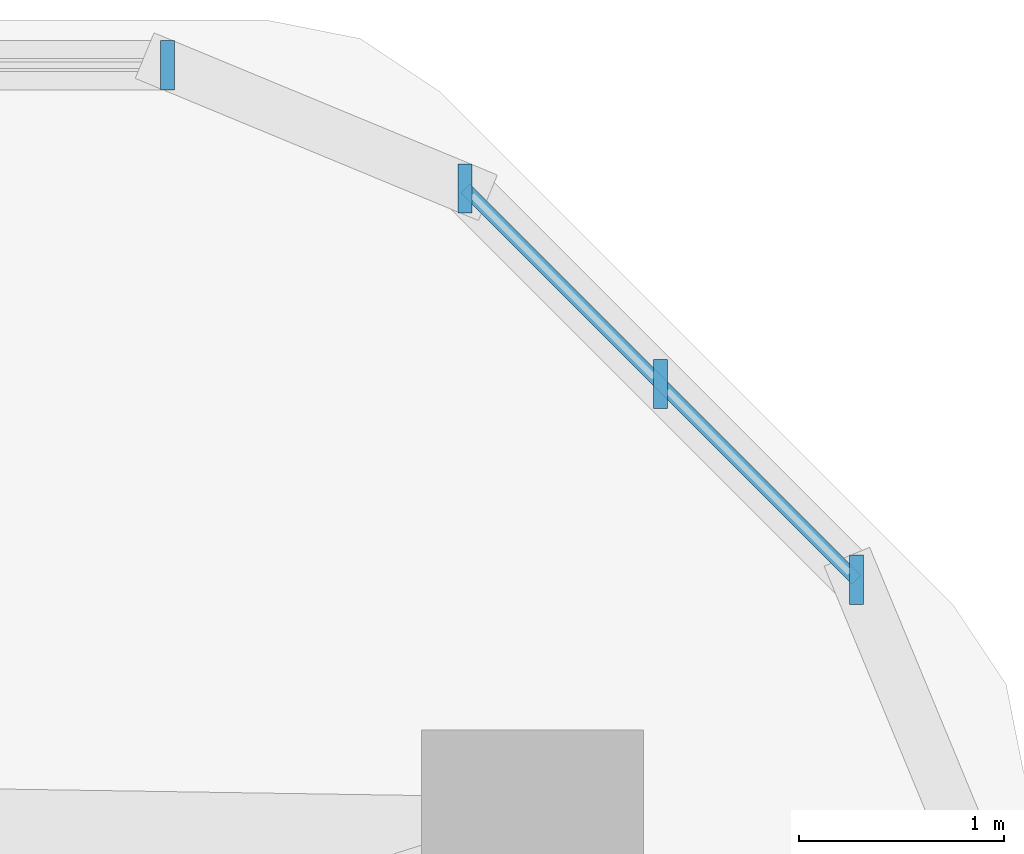
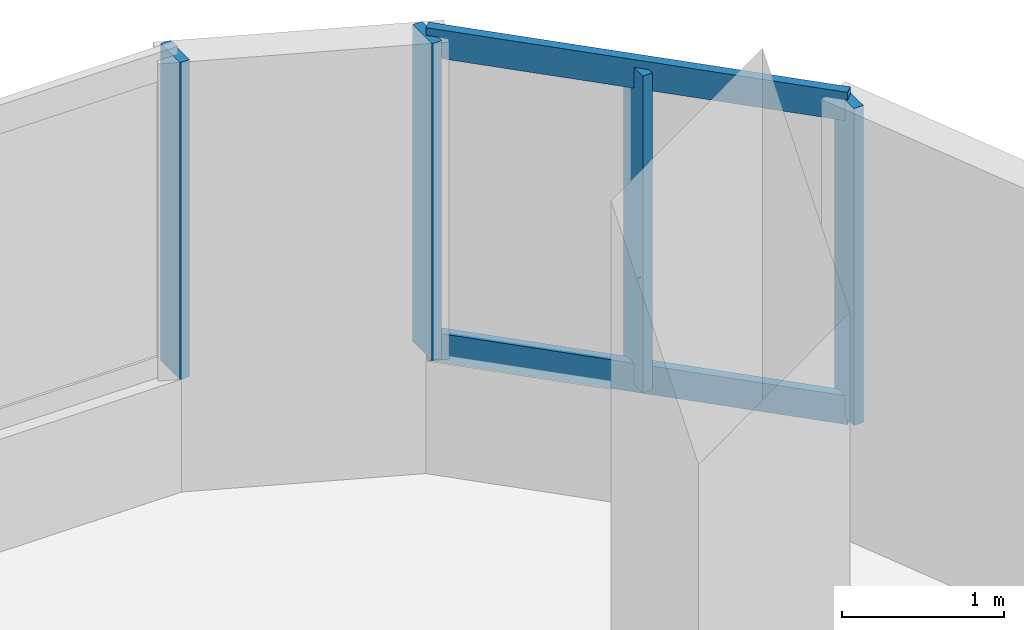
# One storey, part 11 of 21: 6 members, 2 elements without a shape of their own.
"""IFC4 building model written with IfcOpenShell, lengths in metres."""

from ifc_helpers import new_model, si_unit, derived_unit, direction, frame, origin, origin_2d, place, context, subcontext, project, spatial, rectangle, extrude, material, material_profile, profile_set, type_object, element, aggregate, save


model = new_model("IFC4")

# Units and contexts
model_context = context("Model", 3, precision=1e-05, world=origin(), true_north=direction((0.0, 1.0)))
body_context = subcontext(model_context, "Body", "Model", "MODEL_VIEW")
ifc_project = project(units=[si_unit("LENGTHUNIT", "METRE"), si_unit("AREAUNIT", "SQUARE_METRE"), si_unit("VOLUMEUNIT", "CUBIC_METRE"), si_unit("PLANEANGLEUNIT", "RADIAN"), si_unit("MASSUNIT", "GRAM", prefix="KILO"), derived_unit("THERMALTRANSMITTANCEUNIT", [(si_unit("POWERUNIT", "WATT"), 1), (si_unit("LENGTHUNIT", "METRE"), -2), (si_unit("THERMODYNAMICTEMPERATUREUNIT", "KELVIN"), -1)])], contexts=[model_context])

# Site, building, storey
site_placement = place(None, origin())
site = spatial("IfcSite", under=ifc_project, at=site_placement, CompositionType="ELEMENT")
building_placement = place(site_placement, origin())
building = spatial("IfcBuilding", under=site, at=building_placement, Name="Koralith Skygarden Medical Center", CompositionType="ELEMENT")
storey_placement = place(building_placement, frame((0.0, 0.0, 14.39990234375)))
storey = spatial("IfcBuildingStorey", under=building, at=storey_placement, Name="L03", CompositionType="ELEMENT", Elevation=14.39990234375)

# Curtain wall, members
ifc_material_1 = material(Name="Clear Laminated Glass", Category="glass")
curtain_wall_type = type_object("IfcCurtainWallType", Name="CW-1 Transit & Podium Acoustic Curtain Wall", PredefinedType="NOTDEFINED", material=ifc_material_1)
curtain_wall_1_placement = place(storey_placement, origin())
curtain_wall_1 = element("IfcCurtainWall", 1, at=curtain_wall_1_placement, inside=storey, type_object=curtain_wall_type, Name="Curtain Wall CW-L03-NE", PredefinedType="NOTDEFINED")
ifc_material_2 = material(Name="Aluminium 6063-T6", Category="aluminium")
ifc_material_profile_1 = material_profile(ifc_material_2, rectangle(XDim=0.068115234375, YDim=0.239990234375, at=origin_2d()), Name="MUL68X240")
ifc_profile_set_1 = profile_set([ifc_material_profile_1], Name="Aluminium 6063-T6")
member_type_1 = type_object("IfcMemberType", Name="CW-1 Extruded Mullion 68x240", PredefinedType="MULLION", material=ifc_profile_set_1)
member_1_placement = place(storey_placement, frame((72.97900390625, 48.8720703125, 0.85009765625), z_axis=(0.0, 0.0, 1.0), x_axis=(1.0, 0.0, 0.0)))
member_1 = element("IfcMember", 2, at=member_1_placement, type_object=member_type_1, Name="CW-L03-NE Mullion 1", PredefinedType="MULLION", context=body_context, shape_type="SweptSolid", body=[
    extrude(rectangle(XDim=0.068115234375, YDim=0.239990234375, at=origin_2d()), origin(), (0.0, 0.0, 1.0), 2.389892578125),
])
member_2_placement = place(storey_placement, frame((72.02490234375, 49.825927734375, 0.85009765625), z_axis=(0.0, 0.0, 1.0), x_axis=(1.0, 0.0, 0.0)))
member_2 = element("IfcMember", 3, at=member_2_placement, type_object=member_type_1, Name="CW-L03-NE Mullion 2", PredefinedType="MULLION", context=body_context, shape_type="SweptSolid", body=[
    extrude(rectangle(XDim=0.068115234375, YDim=0.239990234375, at=origin_2d()), origin(), (0.0, 0.0, 1.0), 2.389892578125),
])
member_3_placement = place(storey_placement, frame((71.072021484375, 50.779052734375, 0.85009765625), z_axis=(0.0, 0.0, 1.0), x_axis=(1.0, 0.0, 0.0)))
member_3 = element("IfcMember", 4, at=member_3_placement, type_object=member_type_1, Name="CW-L03-NE Mullion 3", PredefinedType="MULLION", context=body_context, shape_type="SweptSolid", body=[
    extrude(rectangle(XDim=0.068115234375, YDim=0.239990234375, at=origin_2d()), origin(), (0.0, 0.0, 1.0), 2.389892578125),
])

# Curtain wall, member
curtain_wall_2_placement = place(storey_placement, origin())
curtain_wall_2 = element("IfcCurtainWall", 5, at=curtain_wall_2_placement, inside=storey, type_object=curtain_wall_type, Name="Curtain Wall CW-L03-N", PredefinedType="NOTDEFINED")
member_4_placement = place(storey_placement, frame((69.62109375, 51.3798828125, 0.85009765625), z_axis=(0.0, 0.0, 1.0), x_axis=(1.0, 0.0, 0.0)))
member_4 = element("IfcMember", 6, at=member_4_placement, type_object=member_type_1, Name="CW-L03-N Mullion 1", PredefinedType="MULLION", context=body_context, shape_type="SweptSolid", body=[
    extrude(rectangle(XDim=0.068115234375, YDim=0.239990234375, at=origin_2d()), origin(), (0.0, 0.0, 1.0), 2.389892578125),
])
aggregate(curtain_wall_2, [member_4])

# Member
ifc_material_profile_2 = material_profile(ifc_material_2, rectangle(XDim=0.06298828125, YDim=0.216064453125, at=origin_2d()), Name="TRN63X216")
ifc_profile_set_2 = profile_set([ifc_material_profile_2], Name="Aluminium 6063-T6")
member_type_2 = type_object("IfcMemberType", Name="CW-1 Thermal Transom 63x216", PredefinedType="USERDEFINED", material=ifc_profile_set_2)
member_5_placement = place(storey_placement, frame((72.97900390625, 48.8720703125, 0.900146484375), z_axis=(-0.707106781187, 0.707106781187, 0.0), x_axis=(-0.707106781187, -0.707106781187, 0.0)))
member_5 = element("IfcMember", 7, at=member_5_placement, type_object=member_type_2, Name="CW-L03-NE Transom 1", ObjectType="TRANSOM", PredefinedType="USERDEFINED", context=body_context, shape_type="SweptSolid", body=[
    extrude(rectangle(XDim=0.06298828125, YDim=0.216064453125, at=origin_2d()), origin(), (0.0, 0.0, 1.0), 2.69677734375),
])

member_6_placement = place(storey_placement, frame((72.97900390625, 48.8720703125, 3.190185546875), z_axis=(-0.707106781187, 0.707106781187, 0.0), x_axis=(-0.707106781187, -0.707106781187, 0.0)))
member_6 = element("IfcMember", 8, at=member_6_placement, type_object=member_type_2, Name="CW-L03-NE Transom 2", ObjectType="TRANSOM", PredefinedType="USERDEFINED", context=body_context, shape_type="SweptSolid", body=[
    extrude(rectangle(XDim=0.06298828125, YDim=0.216064453125, at=origin_2d()), origin(), (0.0, 0.0, 1.0), 2.69677734375),
])

aggregate(curtain_wall_1, [member_1, member_2, member_3, member_5, member_6])

save(model, "model.ifc")
